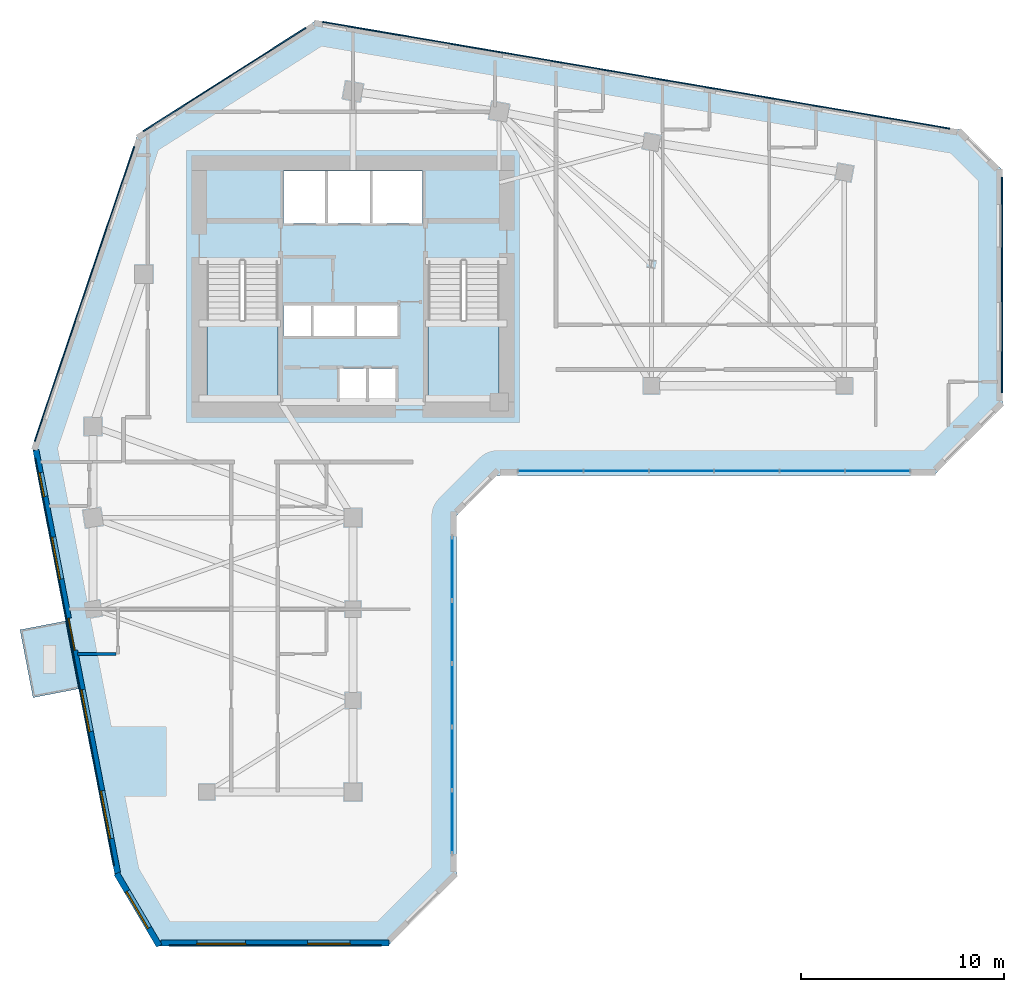
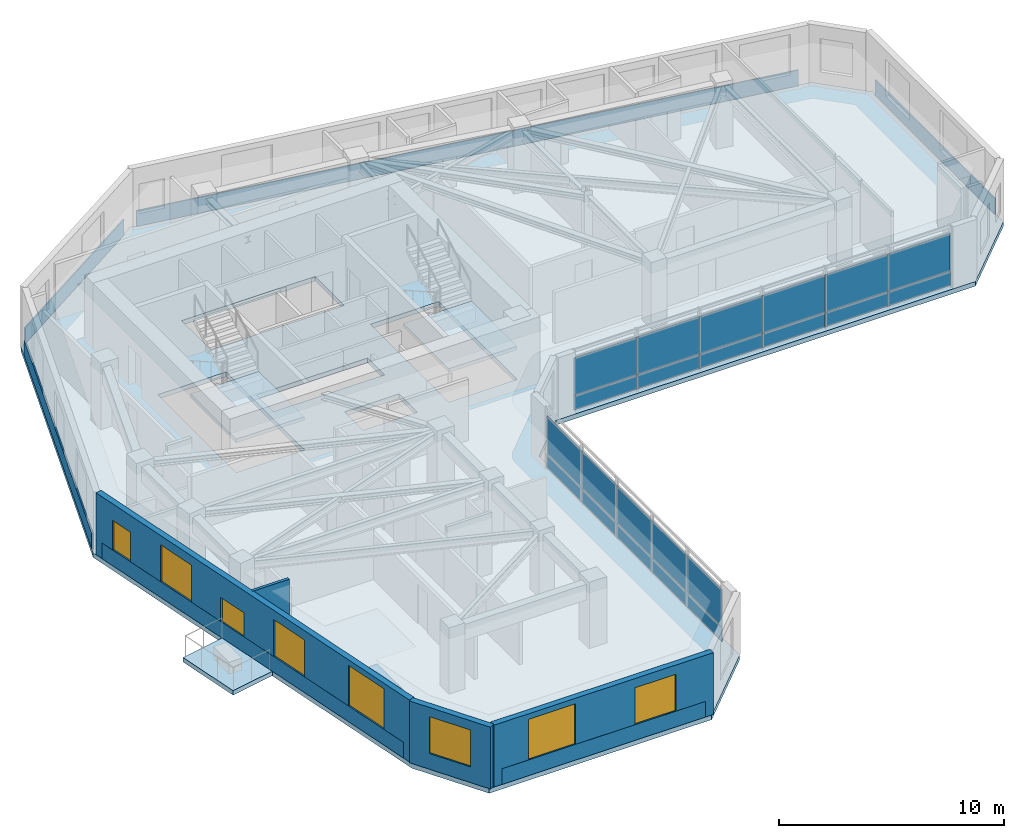
# One storey, part 4 of 11: 28 plates, 7 windows, 4 slabs, 4 walls, 1 door, 8 openings, 4 elements without a shape of their own.
"""IFC4 building model written with IfcOpenShell, lengths in metres."""

from ifc_helpers import new_model, si_unit, direction, frame, frame_2d, origin, place, context, subcontext, project, spatial, polyline, rectangle, outline, extrude, source, transform, mapped, material, layer, layer_set, type_object, element, fill, aggregate, save


model = new_model("IFC4")

# Units and contexts
model_context = context("Model", 3, precision=1e-05, world=origin(), true_north=direction((0.0, 1.0)))
body_context = subcontext(model_context, "Body", "Model", "MODEL_VIEW")
ifc_project = project(units=[si_unit("LENGTHUNIT", "METRE"), si_unit("AREAUNIT", "SQUARE_METRE"), si_unit("VOLUMEUNIT", "CUBIC_METRE"), si_unit("PLANEANGLEUNIT", "RADIAN"), si_unit("MASSUNIT", "GRAM", prefix="KILO")], contexts=[model_context])

# Site, building, storey
site_placement = place(None, origin())
site = spatial("IfcSite", under=ifc_project, at=site_placement, CompositionType="ELEMENT")
building_placement = place(site_placement, origin())
building = spatial("IfcBuilding", under=site, at=building_placement, Name="Calvemar Wedge Station Tower", CompositionType="ELEMENT")
storey_placement = place(building_placement, frame((0.0, 0.0, 117.800048828125)))
storey = spatial("IfcBuildingStorey", under=building, at=storey_placement, Name="L28", CompositionType="ELEMENT", Elevation=117.800048828125)

# Curtain wall, plates
ifc_material_1 = material(Name="Anodised aluminium 6063-T6", Category="aluminium")
curtain_wall_type = type_object("IfcCurtainWallType", Name="CW2", PredefinedType="NOTDEFINED", material=ifc_material_1)
curtain_wall_1_placement = place(storey_placement, origin())
curtain_wall_1 = element("IfcCurtainWall", 1, at=curtain_wall_1_placement, inside=storey, type_object=curtain_wall_type, Name="Storey L28 CW2 Recessed Unitised Curtain Wall 4", PredefinedType="NOTDEFINED")
ifc_material_2 = material(Name="Low-E laminated insulated glass", Category="glass")
ifc_layer_1 = layer(ifc_material_2, 0.028076171875)
ifc_layer_set_1 = layer_set([ifc_layer_1], Name="Low-E laminated insulated glass")
plate_type_1 = type_object("IfcPlateType", Name="CW2-GLZ", PredefinedType="CURTAIN_PANEL", material=ifc_layer_set_1)
plate_1_placement = place(storey_placement, frame((28.68603515625, 11.97998046875, 0.869873046875), z_axis=(0.0, 0.0, 1.0), x_axis=(0.0, 1.0, 0.0)))
plate_1 = element("IfcPlate", 2, at=plate_1_placement, type_object=plate_type_1, Name="CW2 vision glass panel 1", PredefinedType="CURTAIN_PANEL", context=body_context, shape_type="SweptSolid", body=[
    extrude(rectangle(XDim=3.08251953125, YDim=0.028076171875, at=frame_2d((1.541259765625, 0.0))), origin(), (0.0, 0.0, 1.0), 2.010009765625),
])
plate_2_placement = place(storey_placement, frame((28.68603515625, 15.098388671875, 0.869873046875), z_axis=(0.0, 0.0, 1.0), x_axis=(0.0, 1.0, 0.0)))
plate_2 = element("IfcPlate", 3, at=plate_2_placement, type_object=plate_type_1, Name="CW2 vision glass panel 2", PredefinedType="CURTAIN_PANEL", context=body_context, shape_type="SweptSolid", body=[
    extrude(rectangle(XDim=3.08251953125, YDim=0.028076171875, at=frame_2d((1.541259765625, 0.0))), origin(), (0.0, 0.0, 1.0), 2.010009765625),
])
plate_3_placement = place(storey_placement, frame((28.68603515625, 18.216796875, 0.869873046875), z_axis=(0.0, 0.0, 1.0), x_axis=(0.0, 1.0, 0.0)))
plate_3 = element("IfcPlate", 4, at=plate_3_placement, type_object=plate_type_1, Name="CW2 vision glass panel 3", PredefinedType="CURTAIN_PANEL", context=body_context, shape_type="SweptSolid", body=[
    extrude(rectangle(XDim=3.08251953125, YDim=0.028076171875, at=frame_2d((1.541259765625, 0.0))), origin(), (0.0, 0.0, 1.0), 2.010009765625),
])
plate_4_placement = place(storey_placement, frame((28.68603515625, 21.335205078125, 0.869873046875), z_axis=(0.0, 0.0, 1.0), x_axis=(0.0, 1.0, 0.0)))
plate_4 = element("IfcPlate", 5, at=plate_4_placement, type_object=plate_type_1, Name="CW2 vision glass panel 4", PredefinedType="CURTAIN_PANEL", context=body_context, shape_type="SweptSolid", body=[
    extrude(rectangle(XDim=3.08251953125, YDim=0.028076171875, at=frame_2d((1.541259765625, 0.0))), origin(), (0.0, 0.0, 1.0), 2.010009765625),
])
plate_5_placement = place(storey_placement, frame((28.68603515625, 24.45361328125, 0.869873046875), z_axis=(0.0, 0.0, 1.0), x_axis=(0.0, 1.0, 0.0)))
plate_5 = element("IfcPlate", 6, at=plate_5_placement, type_object=plate_type_1, Name="CW2 vision glass panel 5", PredefinedType="CURTAIN_PANEL", context=body_context, shape_type="SweptSolid", body=[
    extrude(rectangle(XDim=3.08251953125, YDim=0.028076171875, at=frame_2d((1.541259765625, 0.0))), origin(), (0.0, 0.0, 1.0), 2.010009765625),
])

curtain_wall_2_placement = place(storey_placement, origin())
curtain_wall_2 = element("IfcCurtainWall", 7, at=curtain_wall_2_placement, inside=storey, type_object=curtain_wall_type, Name="Storey L28 CW2 Recessed Unitised Curtain Wall 6", PredefinedType="NOTDEFINED")
plate_6_placement = place(storey_placement, frame((31.951904296875, 30.802001953125, 0.869873046875), z_axis=(0.0, 0.0, 1.0), x_axis=(1.0, 0.0, 0.0)))
plate_6 = element("IfcPlate", 8, at=plate_6_placement, type_object=plate_type_1, Name="CW2 vision glass panel 1", PredefinedType="CURTAIN_PANEL", context=body_context, shape_type="SweptSolid", body=[
    extrude(rectangle(XDim=3.181396484375, YDim=0.028076171875, at=frame_2d((1.5908203125, 0.0))), origin(), (0.0, 0.0, 1.0), 2.010009765625),
])
plate_7_placement = place(storey_placement, frame((35.169189453125, 30.802001953125, 0.869873046875), z_axis=(0.0, 0.0, 1.0), x_axis=(1.0, 0.0, 0.0)))
plate_7 = element("IfcPlate", 9, at=plate_7_placement, type_object=plate_type_1, Name="CW2 vision glass panel 2", PredefinedType="CURTAIN_PANEL", context=body_context, shape_type="SweptSolid", body=[
    extrude(rectangle(XDim=3.181396484375, YDim=0.028076171875, at=frame_2d((1.5908203125, 0.0))), origin(), (0.0, 0.0, 1.0), 2.010009765625),
])
plate_8_placement = place(storey_placement, frame((38.38671875, 30.802001953125, 0.869873046875), z_axis=(0.0, 0.0, 1.0), x_axis=(1.0, 0.0, 0.0)))
plate_8 = element("IfcPlate", 10, at=plate_8_placement, type_object=plate_type_1, Name="CW2 vision glass panel 3", PredefinedType="CURTAIN_PANEL", context=body_context, shape_type="SweptSolid", body=[
    extrude(rectangle(XDim=3.18115234375, YDim=0.028076171875, at=frame_2d((1.590576171875, 0.0))), origin(), (0.0, 0.0, 1.0), 2.010009765625),
])
plate_9_placement = place(storey_placement, frame((41.60400390625, 30.802001953125, 0.869873046875), z_axis=(0.0, 0.0, 1.0), x_axis=(1.0, 0.0, 0.0)))
plate_9 = element("IfcPlate", 11, at=plate_9_placement, type_object=plate_type_1, Name="CW2 vision glass panel 4", PredefinedType="CURTAIN_PANEL", context=body_context, shape_type="SweptSolid", body=[
    extrude(rectangle(XDim=3.18115234375, YDim=0.028076171875, at=frame_2d((1.590576171875, 0.0))), origin(), (0.0, 0.0, 1.0), 2.010009765625),
])
plate_10_placement = place(storey_placement, frame((44.8212890625, 30.802001953125, 0.869873046875), z_axis=(0.0, 0.0, 1.0), x_axis=(1.0, 0.0, 0.0)))
plate_10 = element("IfcPlate", 12, at=plate_10_placement, type_object=plate_type_1, Name="CW2 vision glass panel 5", PredefinedType="CURTAIN_PANEL", context=body_context, shape_type="SweptSolid", body=[
    extrude(rectangle(XDim=3.181396484375, YDim=0.028076171875, at=frame_2d((1.5908203125, 0.0))), origin(), (0.0, 0.0, 1.0), 2.010009765625),
])
plate_11_placement = place(storey_placement, frame((48.03857421875, 30.802001953125, 0.869873046875), z_axis=(0.0, 0.0, 1.0), x_axis=(1.0, 0.0, 0.0)))
plate_11 = element("IfcPlate", 13, at=plate_11_placement, type_object=plate_type_1, Name="CW2 vision glass panel 6", PredefinedType="CURTAIN_PANEL", context=body_context, shape_type="SweptSolid", body=[
    extrude(rectangle(XDim=3.181396484375, YDim=0.028076171875, at=frame_2d((1.5908203125, 0.0))), origin(), (0.0, 0.0, 1.0), 2.010009765625),
])

# Plate
ifc_material_3 = material(Name="Oxidized bronze aluminium spandrel panel 5005-H24", Category="aluminium")
ifc_layer_2 = layer(ifc_material_3, 0.0400390625)
ifc_layer_set_2 = layer_set([ifc_layer_2], Name="Oxidized bronze aluminium spandrel panel 5005-H24")
plate_type_2 = type_object("IfcPlateType", Name="CW2-SPD", PredefinedType="SHEET", material=ifc_layer_set_2)
plate_12_placement = place(storey_placement, frame((28.68603515625, 11.97998046875, 0.079833984375), z_axis=(0.0, 0.0, 1.0), x_axis=(0.0, 1.0, 0.0)))
plate_12 = element("IfcPlate", 14, at=plate_12_placement, type_object=plate_type_2, Name="CW2 bronze spandrel panel 1", PredefinedType="SHEET", context=body_context, shape_type="SweptSolid", body=[
    extrude(rectangle(XDim=3.08251953125, YDim=0.0400390625, at=frame_2d((1.541259765625, 0.0))), origin(), (0.0, 0.0, 1.0), 0.75),
])

plate_13_placement = place(storey_placement, frame((28.68603515625, 15.098388671875, 0.079833984375), z_axis=(0.0, 0.0, 1.0), x_axis=(0.0, 1.0, 0.0)))
plate_13 = element("IfcPlate", 15, at=plate_13_placement, type_object=plate_type_2, Name="CW2 bronze spandrel panel 2", PredefinedType="SHEET", context=body_context, shape_type="SweptSolid", body=[
    extrude(rectangle(XDim=3.08251953125, YDim=0.0400390625, at=frame_2d((1.541259765625, 0.0))), origin(), (0.0, 0.0, 1.0), 0.75),
])

plate_14_placement = place(storey_placement, frame((28.68603515625, 18.216796875, 0.079833984375), z_axis=(0.0, 0.0, 1.0), x_axis=(0.0, 1.0, 0.0)))
plate_14 = element("IfcPlate", 16, at=plate_14_placement, type_object=plate_type_2, Name="CW2 bronze spandrel panel 3", PredefinedType="SHEET", context=body_context, shape_type="SweptSolid", body=[
    extrude(rectangle(XDim=3.08251953125, YDim=0.0400390625, at=frame_2d((1.541259765625, 0.0))), origin(), (0.0, 0.0, 1.0), 0.75),
])

plate_15_placement = place(storey_placement, frame((28.68603515625, 21.335205078125, 0.079833984375), z_axis=(0.0, 0.0, 1.0), x_axis=(0.0, 1.0, 0.0)))
plate_15 = element("IfcPlate", 17, at=plate_15_placement, type_object=plate_type_2, Name="CW2 bronze spandrel panel 4", PredefinedType="SHEET", context=body_context, shape_type="SweptSolid", body=[
    extrude(rectangle(XDim=3.08251953125, YDim=0.0400390625, at=frame_2d((1.541259765625, 0.0))), origin(), (0.0, 0.0, 1.0), 0.75),
])

plate_16_placement = place(storey_placement, frame((28.68603515625, 24.45361328125, 0.079833984375), z_axis=(0.0, 0.0, 1.0), x_axis=(0.0, 1.0, 0.0)))
plate_16 = element("IfcPlate", 18, at=plate_16_placement, type_object=plate_type_2, Name="CW2 bronze spandrel panel 5", PredefinedType="SHEET", context=body_context, shape_type="SweptSolid", body=[
    extrude(rectangle(XDim=3.08251953125, YDim=0.0400390625, at=frame_2d((1.541259765625, 0.0))), origin(), (0.0, 0.0, 1.0), 0.75),
])

aggregate(curtain_wall_1, [plate_12, plate_1, plate_13, plate_2, plate_14, plate_3, plate_15, plate_4, plate_16, plate_5])

plate_17_placement = place(storey_placement, frame((31.951904296875, 30.802001953125, 0.079833984375), z_axis=(0.0, 0.0, 1.0), x_axis=(1.0, 0.0, 0.0)))
plate_17 = element("IfcPlate", 19, at=plate_17_placement, type_object=plate_type_2, Name="CW2 bronze spandrel panel 1", PredefinedType="SHEET", context=body_context, shape_type="SweptSolid", body=[
    extrude(rectangle(XDim=3.181396484375, YDim=0.0400390625, at=frame_2d((1.5908203125, 0.0))), origin(), (0.0, 0.0, 1.0), 0.75),
])

plate_18_placement = place(storey_placement, frame((35.169189453125, 30.802001953125, 0.079833984375), z_axis=(0.0, 0.0, 1.0), x_axis=(1.0, 0.0, 0.0)))
plate_18 = element("IfcPlate", 20, at=plate_18_placement, type_object=plate_type_2, Name="CW2 bronze spandrel panel 2", PredefinedType="SHEET", context=body_context, shape_type="SweptSolid", body=[
    extrude(rectangle(XDim=3.181396484375, YDim=0.0400390625, at=frame_2d((1.5908203125, 0.0))), origin(), (0.0, 0.0, 1.0), 0.75),
])

plate_19_placement = place(storey_placement, frame((38.38671875, 30.802001953125, 0.079833984375), z_axis=(0.0, 0.0, 1.0), x_axis=(1.0, 0.0, 0.0)))
plate_19 = element("IfcPlate", 21, at=plate_19_placement, type_object=plate_type_2, Name="CW2 bronze spandrel panel 3", PredefinedType="SHEET", context=body_context, shape_type="SweptSolid", body=[
    extrude(rectangle(XDim=3.18115234375, YDim=0.0400390625, at=frame_2d((1.590576171875, 0.0))), origin(), (0.0, 0.0, 1.0), 0.75),
])

plate_20_placement = place(storey_placement, frame((41.60400390625, 30.802001953125, 0.079833984375), z_axis=(0.0, 0.0, 1.0), x_axis=(1.0, 0.0, 0.0)))
plate_20 = element("IfcPlate", 22, at=plate_20_placement, type_object=plate_type_2, Name="CW2 bronze spandrel panel 4", PredefinedType="SHEET", context=body_context, shape_type="SweptSolid", body=[
    extrude(rectangle(XDim=3.18115234375, YDim=0.0400390625, at=frame_2d((1.590576171875, 0.0))), origin(), (0.0, 0.0, 1.0), 0.75),
])

plate_21_placement = place(storey_placement, frame((44.8212890625, 30.802001953125, 0.079833984375), z_axis=(0.0, 0.0, 1.0), x_axis=(1.0, 0.0, 0.0)))
plate_21 = element("IfcPlate", 23, at=plate_21_placement, type_object=plate_type_2, Name="CW2 bronze spandrel panel 5", PredefinedType="SHEET", context=body_context, shape_type="SweptSolid", body=[
    extrude(rectangle(XDim=3.181396484375, YDim=0.0400390625, at=frame_2d((1.5908203125, 0.0))), origin(), (0.0, 0.0, 1.0), 0.75),
])

plate_22_placement = place(storey_placement, frame((48.03857421875, 30.802001953125, 0.079833984375), z_axis=(0.0, 0.0, 1.0), x_axis=(1.0, 0.0, 0.0)))
plate_22 = element("IfcPlate", 24, at=plate_22_placement, type_object=plate_type_2, Name="CW2 bronze spandrel panel 6", PredefinedType="SHEET", context=body_context, shape_type="SweptSolid", body=[
    extrude(rectangle(XDim=3.181396484375, YDim=0.0400390625, at=frame_2d((1.5908203125, 0.0))), origin(), (0.0, 0.0, 1.0), 0.75),
])

aggregate(curtain_wall_2, [plate_17, plate_6, plate_18, plate_7, plate_19, plate_8, plate_20, plate_9, plate_21, plate_10, plate_22, plate_11])

# Plates
ifc_material_4 = material(Name="Precast concrete C45", Category="concrete")
ifc_layer_3 = layer(ifc_material_4, 0.06494140625)
ifc_layer_set_3 = layer_set([ifc_layer_3], Name="Precast concrete C45")
plate_type_3 = type_object("IfcPlateType", Name="PL-GFRC-FIN", PredefinedType="USERDEFINED", material=ifc_layer_set_3)
plate_23_placement = place(storey_placement, frame((14.74169921875, 7.429931640625, 0.0), z_axis=(0.0, 0.0, 1.0), x_axis=(1.0, 0.0, 0.0)))
element("IfcPlate", 25, at=plate_23_placement, inside=storey, type_object=plate_type_3, Name="Storey L28 Oxidized-Bronze GFRC Spandrel Cladding 2", ObjectType="CLADDING PANEL", PredefinedType="USERDEFINED", context=body_context, shape_type="SweptSolid", body=[
    extrude(rectangle(XDim=10.442138671875, YDim=0.06494140625, at=frame_2d((5.22119140625, 0.0))), origin(), (0.0, 0.0, 1.0), 0.849853515625),
])
plate_24_placement = place(storey_placement, frame((55.77001953125, 34.6494140625, 0.0), z_axis=(0.0, 0.0, 1.0), x_axis=(0.0, 1.0, 0.0)))
element("IfcPlate", 26, at=plate_24_placement, inside=storey, type_object=plate_type_3, Name="Storey L28 Oxidized-Bronze GFRC Spandrel Cladding 8", ObjectType="CLADDING PANEL", PredefinedType="USERDEFINED", context=body_context, shape_type="SweptSolid", body=[
    extrude(rectangle(XDim=10.63037109375, YDim=0.06494140625, at=frame_2d((5.315185546875, 0.0))), origin(), (0.0, 0.0, 1.0), 0.849853515625),
])
plate_25_placement = place(storey_placement, frame((53.186767578125, 47.666015625, 0.0), z_axis=(0.0, 0.0, 1.0), x_axis=(-0.985847129316, 0.167646764417, 0.0)))
element("IfcPlate", 27, at=plate_25_placement, inside=storey, type_object=plate_type_3, Name="Storey L28 Oxidized-Bronze GFRC Spandrel Cladding 10", ObjectType="CLADDING PANEL", PredefinedType="USERDEFINED", context=body_context, shape_type="SweptSolid", body=[
    extrude(rectangle(XDim=31.331787109375, YDim=0.06494140625, at=frame_2d((15.666015625, 0.0))), origin(), (0.0, 0.0, 1.0), 0.849853515625),
])
plate_26_placement = place(storey_placement, frame((21.472900390625, 52.62890625, 0.0), z_axis=(0.0, 0.0, 1.0), x_axis=(-0.843667847652, -0.536865497903, 0.0)))
element("IfcPlate", 28, at=plate_26_placement, inside=storey, type_object=plate_type_3, Name="Storey L28 Oxidized-Bronze GFRC Spandrel Cladding 11", ObjectType="CLADDING PANEL", PredefinedType="USERDEFINED", context=body_context, shape_type="SweptSolid", body=[
    extrude(rectangle(XDim=9.48388671875, YDim=0.06494140625, at=frame_2d((4.741943359375, 0.0))), origin(), (0.0, 0.0, 1.0), 0.849853515625),
])
plate_27_placement = place(storey_placement, frame((13.02685546875, 46.793212890625, 0.0), z_axis=(0.0, 0.0, 1.0), x_axis=(-0.319922287139, -0.947443787352, 0.0)))
element("IfcPlate", 29, at=plate_27_placement, inside=storey, type_object=plate_type_3, Name="Storey L28 Oxidized-Bronze GFRC Spandrel Cladding 12", ObjectType="CLADDING PANEL", PredefinedType="USERDEFINED", context=body_context, shape_type="SweptSolid", body=[
    extrude(rectangle(XDim=15.334228515625, YDim=0.06494140625, at=frame_2d((7.6669921875, 0.0))), origin(), (0.0, 0.0, 1.0), 0.849853515625),
])
plate_28_placement = place(storey_placement, frame((8.14306640625, 31.418212890625, 0.0), z_axis=(0.0, 0.0, 1.0), x_axis=(0.189692918469, -0.981843468524, 0.0)))
element("IfcPlate", 30, at=plate_28_placement, inside=storey, type_object=plate_type_3, Name="Storey L28 Oxidized-Bronze GFRC Spandrel Cladding 13", ObjectType="CLADDING PANEL", PredefinedType="USERDEFINED", context=body_context, shape_type="SweptSolid", body=[
    extrude(rectangle(XDim=20.42138671875, YDim=0.06494140625, at=frame_2d((10.210693359375, 0.0))), origin(), (0.0, 0.0, 1.0), 0.849853515625),
])

# Stair, slab
ifc_material_5 = material(Name="Concrete C45", Category="concrete")
stair_type = type_object("IfcStairType", Name="ST-TYPE-3600", PredefinedType="HALF_TURN_STAIR", material=ifc_material_5)
stair_1_placement = place(storey_placement, origin())
stair_1 = element("IfcStair", 31, at=stair_1_placement, inside=storey, type_object=stair_type, Name="L28 Pressurized Core Exit Stair ST-C1", PredefinedType="HALF_TURN_STAIR")
ifc_layer_4 = layer(ifc_material_5, 0.199951171875)
ifc_layer_set_4 = layer_set([ifc_layer_4], Name="Concrete C45")
slab_type_1 = type_object("IfcSlabType", Name="SL-STAIR-LND-200", PredefinedType="LANDING", material=ifc_layer_set_4)
slab_1_placement = place(storey_placement, frame((0.0, 0.0, 1.599853515625)))
slab_1 = element("IfcSlab", 32, at=slab_1_placement, type_object=slab_type_1, Name="ST-C1 landing 1", PredefinedType="LANDING", context=body_context, shape_type="SweptSolid", body=[
    extrude(outline(polyline([(16.60009765625, 38.25), (16.60009765625, 34.199951171875), (20.10009765625, 34.199951171875), (20.10009765625, 38.25), (16.60009765625, 38.25)])), origin(), (0.0, 0.0, 1.0), 0.2001953125),
])
aggregate(stair_1, [slab_1])

stair_2_placement = place(storey_placement, origin())
stair_2 = element("IfcStair", 33, at=stair_2_placement, inside=storey, type_object=stair_type, Name="L28 Pressurized Core Exit Stair ST-C2", PredefinedType="HALF_TURN_STAIR")
slab_2_placement = place(storey_placement, frame((0.0, 0.0, 1.599853515625)))
slab_2 = element("IfcSlab", 34, at=slab_2_placement, type_object=slab_type_1, Name="ST-C2 landing 1", PredefinedType="LANDING", context=body_context, shape_type="SweptSolid", body=[
    extrude(outline(polyline([(27.5, 38.25), (27.5, 34.199951171875), (31.0, 34.199951171875), (31.0, 38.25), (27.5, 38.25)])), origin(), (0.0, 0.0, 1.0), 0.2001953125),
])
aggregate(stair_2, [slab_2])

# Slabs
ifc_layer_5 = layer(ifc_material_5, 0.239990234375)
ifc_layer_set_5 = layer_set([ifc_layer_5], Name="Concrete C45")
slab_type_2 = type_object("IfcSlabType", Name="SL-TERR-240", PredefinedType="FLOOR", material=ifc_layer_set_5)
slab_3_placement = place(storey_placement, frame((0.0, 0.0, -0.239990234375)))
element("IfcSlab", 35, at=slab_3_placement, inside=storey, type_object=slab_type_2, Name="Storey L28 Planted Spiral Terrace Slab", PredefinedType="FLOOR", context=body_context, shape_type="SweptSolid", body=[
    extrude(outline(polyline([(9.657958984375, 23.4189453125), (7.39990234375, 22.98291015625), (8.044921875, 19.64501953125), (10.302978515625, 20.0810546875), (9.657958984375, 23.4189453125)])), origin(), (0.0, 0.0, 1.0), 0.239990234375),
])
ifc_material_6 = material(Name="Concrete C50", Category="concrete")
ifc_layer_6 = layer(ifc_material_6, 0.25)
ifc_layer_set_6 = layer_set([ifc_layer_6], Name="Concrete C50")
slab_type_3 = type_object("IfcSlabType", Name="SL-TYP-250", PredefinedType="FLOOR", material=ifc_layer_set_6)
slab_4_placement = place(storey_placement, frame((0.0, 0.0, -0.25)))
element("IfcSlab", 36, at=slab_4_placement, inside=storey, type_object=slab_type_3, Name="Storey L28 Structural Floor Slab", PredefinedType="FLOOR", context=body_context, shape_type="SweptSolid", body=[
    extrude(outline(polyline([(8.0, 32.0), (12.095947265625, 10.800048828125), (14.095947265625, 7.39990234375), (25.49609375, 7.39990234375), (28.89599609375, 10.800048828125), (28.89599609375, 28.592041015625), (30.89599609375, 30.592041015625), (52.39990234375, 30.592041015625), (55.800048828125, 33.991943359375), (55.800048828125, 45.592041015625), (53.800048828125, 47.592041015625), (22.0, 53.0), (13.199951171875, 47.39990234375), (8.0, 32.0)]), holes=[polyline([(24.52001953125, 35.85009765625), (24.510009765625, 35.85009765625), (23.1201171875, 35.85009765625), (23.1201171875, 34.219970703125), (24.510009765625, 34.219970703125), (24.52001953125, 34.219970703125), (25.909912109375, 34.219970703125), (25.909912109375, 35.85009765625), (24.52001953125, 35.85009765625)]), polyline([(16.60009765625, 34.199951171875), (20.10009765625, 34.199951171875), (20.10009765625, 41.14990234375), (16.60009765625, 41.14990234375), (16.60009765625, 34.199951171875)]), polyline([(27.5, 34.199951171875), (31.0, 34.199951171875), (31.0, 41.14990234375), (27.5, 41.14990234375), (27.5, 34.199951171875)]), polyline([(21.800048828125, 38.949951171875), (21.7900390625, 38.949951171875), (20.3798828125, 38.949951171875), (20.3798828125, 37.449951171875), (21.7900390625, 37.449951171875), (21.800048828125, 37.449951171875), (23.929931640625, 37.449951171875), (23.93994140625, 37.449951171875), (26.080078125, 37.449951171875), (26.080078125, 38.949951171875), (23.93994140625, 38.949951171875), (23.929931640625, 38.949951171875), (21.800048828125, 38.949951171875)]), polyline([(27.219970703125, 43.0), (27.219970703125, 45.580078125), (20.3798828125, 45.580078125), (20.3798828125, 43.0), (27.219970703125, 43.0)])]), origin(), (0.0, 0.0, 1.0), 0.25),
])

# Wall, opening, window
ifc_layer_7 = layer(ifc_material_4, 0.300048828125)
ifc_layer_set_7 = layer_set([ifc_layer_7], Name="Precast concrete C45")
wall_type_1 = type_object("IfcWallType", Name="W-EXT-GFRC-300", PredefinedType="SOLIDWALL", material=ifc_layer_set_7)
wall_1_placement = place(storey_placement, frame((12.162353515625, 10.983154296875, 0.0), z_axis=(0.0, 0.0, 1.0), x_axis=(0.506996893234, -0.861947881401, 0.0)))
wall_1 = element("IfcWall", 37, at=wall_1_placement, inside=storey, type_object=wall_type_1, Name="Storey L28 Bronze GFRC Exterior Wall 1", PredefinedType="SOLIDWALL", context=body_context, shape_type="SweptSolid", body=[
    extrude(rectangle(XDim=4.133056640625, YDim=0.300048828125, at=frame_2d((2.06640625, 0.0))), origin(), (0.0, 0.0, 1.0), 3.349853515625),
])
shared_shape_1 = source(origin(), body_context, "Body", "SweptSolid", [
    extrude(rectangle(XDim=2.10009765625, YDim=2.0, at=frame_2d((1.050048828125, 1.0))), frame((0.0, 0.16015625, 0.0), z_axis=(0.0, -1.0, 0.0), x_axis=(1.0, 0.0, 0.0)), (0.0, 0.0, 1.0), 0.320068359375),
])
opening_1_placement = place(wall_1_placement, frame((1.01708984375, 0.0, 0.85009765625)))
opening_1 = element("IfcOpeningElement", 38, at=opening_1_placement, cuts=wall_1, Name="Opening W4", PredefinedType="OPENING", context=body_context, shape_type="MappedRepresentation", body=[
    mapped(shared_shape_1, transform((0.0, 0.0, 0.0), scale=1.0)),
])
window_type_1 = type_object("IfcWindowType", Name="WIN-EXT-4", PartitioningType="SINGLE_PANEL", PredefinedType="WINDOW", material=ifc_material_2)
shared_shape_2 = source(origin(), body_context, "Body", "SweptSolid", [
    extrude(rectangle(XDim=2.10009765625, YDim=2.0, at=frame_2d((1.050048828125, 1.0))), frame((0.0, -0.014892578125, 0.0), z_axis=(0.0, -1.0, 0.0), x_axis=(1.0, 0.0, 0.0)), (0.0, 0.0, 1.0), 0.06005859375),
])
window_1_placement = place(opening_1_placement, origin())
window_1 = element("IfcWindow", 39, at=window_1_placement, inside=storey, type_object=window_type_1, Name="Storey L28 Recessed Window 1.1", OverallHeight=2.0, OverallWidth=2.10009765625, PartitioningType="SINGLE_PANEL", PredefinedType="WINDOW", context=body_context, shape_type="MappedRepresentation", body=[
    mapped(shared_shape_2, transform((0.0, 0.0, 0.0), scale=1.0)),
])
fill(opening_1, window_1)

# Wall, openings, windows
wall_2_placement = place(storey_placement, frame((14.341796875, 7.550048828125, 0.0), z_axis=(0.0, 0.0, 1.0), x_axis=(1.0, 0.0, 0.0)))
wall_2 = element("IfcWall", 40, at=wall_2_placement, inside=storey, type_object=wall_type_1, Name="Storey L28 Bronze GFRC Exterior Wall 2", PredefinedType="SOLIDWALL", context=body_context, shape_type="SweptSolid", body=[
    extrude(rectangle(XDim=11.2421875, YDim=0.300048828125, at=frame_2d((5.62109375, 0.0))), origin(), (0.0, 0.0, 1.0), 3.349853515625),
])
shared_shape_3 = source(origin(), body_context, "Body", "SweptSolid", [
    extrude(rectangle(XDim=2.39990234375, YDim=2.199951171875, at=frame_2d((1.199951171875, 1.10009765625))), frame((0.0, 0.16015625, 0.0), z_axis=(0.0, -1.0, 0.0), x_axis=(1.0, 0.0, 0.0)), (0.0, 0.0, 1.0), 0.320068359375),
])
opening_2_placement = place(wall_2_placement, frame((1.77099609375, 0.0, 0.85009765625)))
opening_2 = element("IfcOpeningElement", 41, at=opening_2_placement, cuts=wall_2, Name="Opening W1", PredefinedType="OPENING", context=body_context, shape_type="MappedRepresentation", body=[
    mapped(shared_shape_3, transform((0.0, 0.0, 0.0), scale=1.0)),
])
opening_3_placement = place(wall_2_placement, frame((7.221923828125, 0.0, 0.85009765625)))
opening_3 = element("IfcOpeningElement", 42, at=opening_3_placement, cuts=wall_2, Name="Opening W4", PredefinedType="OPENING", context=body_context, shape_type="MappedRepresentation", body=[
    mapped(shared_shape_1, transform((0.0, 0.0, 0.0), scale=1.0)),
])
window_2_placement = place(opening_3_placement, origin())
window_2 = element("IfcWindow", 43, at=window_2_placement, inside=storey, type_object=window_type_1, Name="Storey L28 Recessed Window 2.2", OverallHeight=2.0, OverallWidth=2.10009765625, PartitioningType="SINGLE_PANEL", PredefinedType="WINDOW", context=body_context, shape_type="MappedRepresentation", body=[
    mapped(shared_shape_2, transform((0.0, 0.0, 0.0), scale=1.0)),
])
fill(opening_3, window_2)
window_type_2 = type_object("IfcWindowType", Name="WIN-EXT-1", PartitioningType="SINGLE_PANEL", PredefinedType="WINDOW", material=ifc_material_2)
shared_shape_4 = source(origin(), body_context, "Body", "SweptSolid", [
    extrude(rectangle(XDim=2.39990234375, YDim=2.199951171875, at=frame_2d((1.199951171875, 1.10009765625))), frame((0.0, -0.014892578125, 0.0), z_axis=(0.0, -1.0, 0.0), x_axis=(1.0, 0.0, 0.0)), (0.0, 0.0, 1.0), 0.06005859375),
])
window_3_placement = place(opening_2_placement, origin())
window_3 = element("IfcWindow", 44, at=window_3_placement, inside=storey, type_object=window_type_2, Name="Storey L28 Recessed Window 2.1", OverallHeight=2.199951171875, OverallWidth=2.39990234375, PartitioningType="SINGLE_PANEL", PredefinedType="WINDOW", context=body_context, shape_type="MappedRepresentation", body=[
    mapped(shared_shape_4, transform((0.0, 0.0, 0.0), scale=1.0)),
])
fill(opening_2, window_3)

# Wall, openings, windows, door
wall_3_placement = place(storey_placement, frame((8.184814453125, 31.833740234375, 0.0), z_axis=(0.0, 0.0, 1.0), x_axis=(0.189707113148, -0.981840725994, 0.0)))
wall_3 = element("IfcWall", 45, at=wall_3_placement, inside=storey, type_object=wall_type_1, Name="Storey L28 Bronze GFRC Exterior Wall 13", PredefinedType="SOLIDWALL", context=body_context, shape_type="SweptSolid", body=[
    extrude(rectangle(XDim=21.221435546875, YDim=0.300048828125, at=frame_2d((10.61083984375, 0.0))), origin(), (0.0, 0.0, 1.0), 3.349853515625),
])
shared_shape_5 = source(origin(), body_context, "Body", "SweptSolid", [
    extrude(rectangle(XDim=1.60009765625, YDim=2.14990234375, at=frame_2d((0.800048828125, 1.074951171875))), frame((0.0, 0.16015625, 0.0), z_axis=(0.0, -1.0, 0.0), x_axis=(1.0, 0.0, 0.0)), (0.0, 0.0, 1.0), 0.320068359375),
])
opening_4_placement = place(wall_3_placement, frame((8.44091796875, 0.0, 0.0)))
opening_4 = element("IfcOpeningElement", 46, at=opening_4_placement, cuts=wall_3, Name="Opening DT1", PredefinedType="OPENING", context=body_context, shape_type="MappedRepresentation", body=[
    mapped(shared_shape_5, transform((0.0, 0.0, 0.0), scale=1.0)),
])
shared_shape_6 = source(origin(), body_context, "Body", "SweptSolid", [
    extrude(rectangle(XDim=1.199951171875, YDim=1.60009765625, at=frame_2d((0.60009765625, 0.800048828125))), frame((0.0, 0.16015625, 0.0), z_axis=(0.0, -1.0, 0.0), x_axis=(1.0, 0.0, 0.0)), (0.0, 0.0, 1.0), 0.320068359375),
])
opening_5_placement = place(wall_3_placement, frame((1.126953125, 0.0, 0.85009765625)))
opening_5 = element("IfcOpeningElement", 47, at=opening_5_placement, cuts=wall_3, Name="Opening W5", PredefinedType="OPENING", context=body_context, shape_type="MappedRepresentation", body=[
    mapped(shared_shape_6, transform((0.0, 0.0, 0.0), scale=1.0)),
])
opening_6_placement = place(wall_3_placement, frame((4.368896484375, 0.0, 0.85009765625)))
opening_6 = element("IfcOpeningElement", 48, at=opening_6_placement, cuts=wall_3, Name="Opening W4", PredefinedType="OPENING", context=body_context, shape_type="MappedRepresentation", body=[
    mapped(shared_shape_1, transform((0.0, 0.0, 0.0), scale=1.0)),
])
opening_7_placement = place(wall_3_placement, frame((12.02099609375, 0.0, 0.85009765625)))
opening_7 = element("IfcOpeningElement", 49, at=opening_7_placement, cuts=wall_3, Name="Opening W4", PredefinedType="OPENING", context=body_context, shape_type="MappedRepresentation", body=[
    mapped(shared_shape_1, transform((0.0, 0.0, 0.0), scale=1.0)),
])
opening_8_placement = place(wall_3_placement, frame((17.091064453125, 0.0, 0.85009765625)))
opening_8 = element("IfcOpeningElement", 50, at=opening_8_placement, cuts=wall_3, Name="Opening W1", PredefinedType="OPENING", context=body_context, shape_type="MappedRepresentation", body=[
    mapped(shared_shape_3, transform((0.0, 0.0, 0.0), scale=1.0)),
])
window_4_placement = place(opening_6_placement, origin())
window_4 = element("IfcWindow", 51, at=window_4_placement, inside=storey, type_object=window_type_1, Name="Storey L28 Recessed Window 13.2", OverallHeight=2.0, OverallWidth=2.10009765625, PartitioningType="SINGLE_PANEL", PredefinedType="WINDOW", context=body_context, shape_type="MappedRepresentation", body=[
    mapped(shared_shape_2, transform((0.0, 0.0, 0.0), scale=1.0)),
])
fill(opening_6, window_4)
window_5_placement = place(opening_7_placement, origin())
window_5 = element("IfcWindow", 52, at=window_5_placement, inside=storey, type_object=window_type_1, Name="Storey L28 Recessed Window 13.3", OverallHeight=2.0, OverallWidth=2.10009765625, PartitioningType="SINGLE_PANEL", PredefinedType="WINDOW", context=body_context, shape_type="MappedRepresentation", body=[
    mapped(shared_shape_2, transform((0.0, 0.0, 0.0), scale=1.0)),
])
fill(opening_7, window_5)
window_6_placement = place(opening_8_placement, origin())
window_6 = element("IfcWindow", 53, at=window_6_placement, inside=storey, type_object=window_type_2, Name="Storey L28 Recessed Window 13.4", OverallHeight=2.199951171875, OverallWidth=2.39990234375, PartitioningType="SINGLE_PANEL", PredefinedType="WINDOW", context=body_context, shape_type="MappedRepresentation", body=[
    mapped(shared_shape_4, transform((0.0, 0.0, 0.0), scale=1.0)),
])
fill(opening_8, window_6)
door_type = type_object("IfcDoorType", Name="DR-TERR-1600", OperationType="DOUBLE_DOOR_SLIDING", PredefinedType="DOOR", material=ifc_material_1)
shared_shape_7 = source(origin(), body_context, "Body", "SweptSolid", [
    extrude(rectangle(XDim=1.60009765625, YDim=2.14990234375, at=frame_2d((0.800048828125, 1.074951171875))), frame((0.0, 0.02490234375, 0.0), z_axis=(0.0, -1.0, 0.0), x_axis=(1.0, 0.0, 0.0)), (0.0, 0.0, 1.0), 0.050048828125),
])
door_placement = place(opening_4_placement, origin())
door = element("IfcDoor", 54, at=door_placement, inside=storey, type_object=door_type, Name="Storey L28 Spiral Terrace Door", OperationType="DOUBLE_DOOR_SLIDING", OverallHeight=2.14990234375, OverallWidth=1.60009765625, PredefinedType="DOOR", context=body_context, shape_type="MappedRepresentation", body=[
    mapped(shared_shape_7, transform((0.0, 0.0, 0.0), scale=1.0)),
])
fill(opening_4, door)
window_type_3 = type_object("IfcWindowType", Name="WIN-EXT-5", PartitioningType="SINGLE_PANEL", PredefinedType="WINDOW", material=ifc_material_2)
shared_shape_8 = source(origin(), body_context, "Body", "SweptSolid", [
    extrude(rectangle(XDim=1.199951171875, YDim=1.60009765625, at=frame_2d((0.60009765625, 0.800048828125))), frame((0.0, -0.014892578125, 0.0), z_axis=(0.0, -1.0, 0.0), x_axis=(1.0, 0.0, 0.0)), (0.0, 0.0, 1.0), 0.06005859375),
])
window_7_placement = place(opening_5_placement, origin())
window_7 = element("IfcWindow", 55, at=window_7_placement, inside=storey, type_object=window_type_3, Name="Storey L28 Recessed Window 13.1", OverallHeight=1.60009765625, OverallWidth=1.199951171875, PartitioningType="SINGLE_PANEL", PredefinedType="WINDOW", context=body_context, shape_type="MappedRepresentation", body=[
    mapped(shared_shape_8, transform((0.0, 0.0, 0.0), scale=1.0)),
])
fill(opening_5, window_7)

# Wall
ifc_material_7 = material(Name="Moisture-resistant acoustic bathroom partition")
ifc_layer_8 = layer(ifc_material_7, 0.14990234375)
ifc_layer_set_8 = layer_set([ifc_layer_8], Name="Moisture-resistant acoustic bathroom partition")
wall_type_2 = type_object("IfcWallType", Name="W-WET-150", PredefinedType="PARTITIONING", material=ifc_layer_set_8)
wall_4_placement = place(storey_placement, frame((12.13671875, 21.800048828125, 0.0), z_axis=(0.0, 0.0, 1.0), x_axis=(-1.0, 0.0, 0.0)))
element("IfcWall", 56, at=wall_4_placement, inside=storey, type_object=wall_type_2, Name="Storey L28 Interior Partition WL-L28-045", PredefinedType="PARTITIONING", context=body_context, shape_type="SweptSolid", body=[
    extrude(rectangle(XDim=1.896240234375, YDim=0.14990234375, at=frame_2d((0.9482421875, 0.0))), origin(), (0.0, 0.0, 1.0), 3.349853515625),
])

save(model, "model.ifc")
